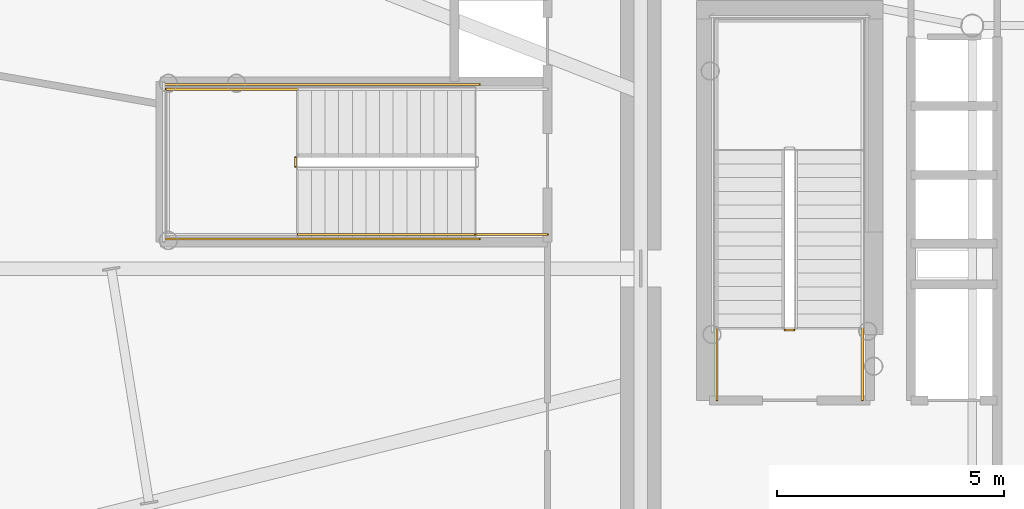
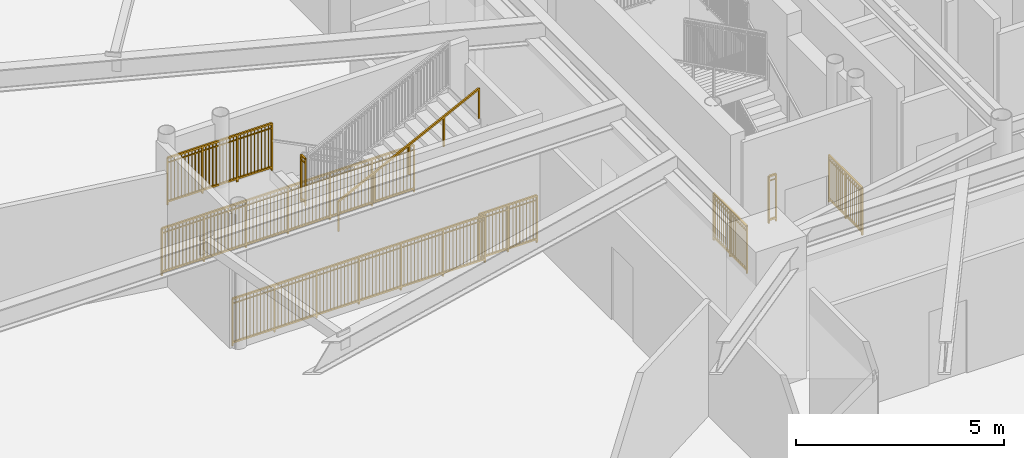
# One storey, part 25 of 35: 9 railings.
"""IFC4 building model written with IfcOpenShell, lengths in metres."""

from ifc_helpers import new_model, si_unit, direction, frame, origin, origin_2d, place, context, subcontext, project, spatial, rectangle, extrude, source, transform, mapped, material, type_object, element, save


model = new_model("IFC4")

# Units and contexts
model_context = context("Model", 3, precision=1e-05, world=origin(), true_north=direction((0.0, 1.0)))
body_context = subcontext(model_context, "Body", "Model", "MODEL_VIEW")
ifc_project = project(units=[si_unit("LENGTHUNIT", "METRE"), si_unit("AREAUNIT", "SQUARE_METRE"), si_unit("VOLUMEUNIT", "CUBIC_METRE"), si_unit("PLANEANGLEUNIT", "RADIAN"), si_unit("MASSUNIT", "GRAM", prefix="KILO")], contexts=[model_context])

# Site, building, storey
site_placement = place(None, origin())
site = spatial("IfcSite", under=ifc_project, at=site_placement, CompositionType="ELEMENT")
building_placement = place(site_placement, origin())
building = spatial("IfcBuilding", under=site, at=building_placement, Name="Linh Dai School and Residence Tower", CompositionType="ELEMENT")
storey_placement = place(building_placement, frame((0.0, 0.0, 32.39990234375)))
storey = spatial("IfcBuildingStorey", under=building, at=storey_placement, Name="L07", CompositionType="ELEMENT", Elevation=32.39990234375)

# Railings
ifc_material_1 = material(Name="Structural Steel S355JR", Category="steel")
railing_type_1 = type_object("IfcRailingType", Name="RL-ST-GUARD-1400", PredefinedType="GUARDRAIL", material=ifc_material_1)
shared_shape_1 = source(origin(), body_context, "Body", "SweptSolid", [
    extrude(rectangle(XDim=0.048095703125, YDim=0.048095703125, at=origin_2d()), frame((0.0, 0.0, 1.3759765625), z_axis=(-1.0, 0.0, 0.0), x_axis=(0.0, -1.0, 0.0)), (0.0, 0.0, 1.0), 0.199951171875),
    extrude(rectangle(XDim=0.048095703125, YDim=0.048095703125, at=origin_2d()), frame((0.0, 0.0, 0.10009765625), z_axis=(-1.0, 0.0, 0.0), x_axis=(0.0, -1.0, 0.0)), (0.0, 0.0, 1.0), 0.199951171875),
    extrude(rectangle(XDim=0.030029296875, YDim=0.030029296875, at=origin_2d()), frame((0.0, 0.0, 1.239990234375), z_axis=(-1.0, 0.0, 0.0), x_axis=(0.0, -1.0, 0.0)), (0.0, 0.0, 1.0), 0.199951171875),
    extrude(rectangle(XDim=0.0419921875, YDim=0.0419921875, at=origin_2d()), origin(), (0.0, 0.0, 1.0), 1.3759765625),
    extrude(rectangle(XDim=0.0419921875, YDim=0.0419921875, at=origin_2d()), frame((-0.199951171875, 0.0, 0.0)), (0.0, 0.0, 1.0), 1.3759765625),
])
railing_1_placement = place(storey_placement, frame((29.429931640625, 25.64990234375, 0.0)))
element("IfcRailing", 1, at=railing_1_placement, inside=storey, type_object=railing_type_1, Name="L07 ST1 stair guard 7", PredefinedType="GUARDRAIL", context=body_context, shape_type="MappedRepresentation", body=[
    mapped(shared_shape_1, transform((0.0, 0.0, 0.0), x_axis=(1.0, 0.0, 0.0), y_axis=(0.0, 1.0, 0.0), z_axis=(0.0, 0.0, 1.0), scale=1.0)),
])
shared_shape_2 = source(origin(), body_context, "Body", "SweptSolid", [
    extrude(rectangle(XDim=0.048095703125, YDim=0.048095703125, at=origin_2d()), frame((0.0, 0.0, 1.3759765625), z_axis=(0.0, 1.0, 0.0), x_axis=(-1.0, 0.0, 0.0)), (0.0, 0.0, 1.0), 1.599853515625),
    extrude(rectangle(XDim=0.048095703125, YDim=0.048095703125, at=origin_2d()), frame((0.0, 0.0, 0.10009765625), z_axis=(0.0, 1.0, 0.0), x_axis=(-1.0, 0.0, 0.0)), (0.0, 0.0, 1.0), 1.599853515625),
    extrude(rectangle(XDim=0.030029296875, YDim=0.030029296875, at=origin_2d()), frame((0.0, 0.0, 1.239990234375), z_axis=(0.0, 1.0, 0.0), x_axis=(-1.0, 0.0, 0.0)), (0.0, 0.0, 1.0), 1.599853515625),
    extrude(rectangle(XDim=0.02001953125, YDim=0.02001953125, at=origin_2d()), frame((0.0, 0.093994140625, 0.10009765625)), (0.0, 0.0, 1.0), 1.251708984375),
    extrude(rectangle(XDim=0.02001953125, YDim=0.02001953125, at=origin_2d()), frame((0.0, 0.188232421875, 0.10009765625)), (0.0, 0.0, 1.0), 1.251708984375),
    extrude(rectangle(XDim=0.02001953125, YDim=0.02001953125, at=origin_2d()), frame((0.0, 0.2822265625, 0.10009765625)), (0.0, 0.0, 1.0), 1.251708984375),
    extrude(rectangle(XDim=0.02001953125, YDim=0.02001953125, at=origin_2d()), frame((0.0, 0.37646484375, 0.10009765625)), (0.0, 0.0, 1.0), 1.251708984375),
    extrude(rectangle(XDim=0.02001953125, YDim=0.02001953125, at=origin_2d()), frame((0.0, 0.470458984375, 0.10009765625)), (0.0, 0.0, 1.0), 1.251708984375),
    extrude(rectangle(XDim=0.02001953125, YDim=0.02001953125, at=origin_2d()), frame((0.0, 0.564697265625, 0.10009765625)), (0.0, 0.0, 1.0), 1.251708984375),
    extrude(rectangle(XDim=0.02001953125, YDim=0.02001953125, at=origin_2d()), frame((0.0, 0.65869140625, 0.10009765625)), (0.0, 0.0, 1.0), 1.251708984375),
    extrude(rectangle(XDim=0.02001953125, YDim=0.02001953125, at=origin_2d()), frame((0.0, 0.7529296875, 0.10009765625)), (0.0, 0.0, 1.0), 1.251708984375),
    extrude(rectangle(XDim=0.02001953125, YDim=0.02001953125, at=origin_2d()), frame((0.0, 0.846923828125, 0.10009765625)), (0.0, 0.0, 1.0), 1.251708984375),
    extrude(rectangle(XDim=0.02001953125, YDim=0.02001953125, at=origin_2d()), frame((0.0, 0.941162109375, 0.10009765625)), (0.0, 0.0, 1.0), 1.251708984375),
    extrude(rectangle(XDim=0.02001953125, YDim=0.02001953125, at=origin_2d()), frame((0.0, 1.03515625, 0.10009765625)), (0.0, 0.0, 1.0), 1.251708984375),
    extrude(rectangle(XDim=0.02001953125, YDim=0.02001953125, at=origin_2d()), frame((0.0, 1.12939453125, 0.10009765625)), (0.0, 0.0, 1.0), 1.251708984375),
    extrude(rectangle(XDim=0.02001953125, YDim=0.02001953125, at=origin_2d()), frame((0.0, 1.223388671875, 0.10009765625)), (0.0, 0.0, 1.0), 1.251708984375),
    extrude(rectangle(XDim=0.02001953125, YDim=0.02001953125, at=origin_2d()), frame((0.0, 1.317626953125, 0.10009765625)), (0.0, 0.0, 1.0), 1.251708984375),
    extrude(rectangle(XDim=0.02001953125, YDim=0.02001953125, at=origin_2d()), frame((0.0, 1.41162109375, 0.10009765625)), (0.0, 0.0, 1.0), 1.251708984375),
    extrude(rectangle(XDim=0.02001953125, YDim=0.02001953125, at=origin_2d()), frame((0.0, 1.505859375, 0.10009765625)), (0.0, 0.0, 1.0), 1.251708984375),
    extrude(rectangle(XDim=0.0419921875, YDim=0.0419921875, at=origin_2d()), origin(), (0.0, 0.0, 1.0), 1.3759765625),
    extrude(rectangle(XDim=0.0419921875, YDim=0.0419921875, at=origin_2d()), frame((0.0, 0.7998046875, 0.0)), (0.0, 0.0, 1.0), 1.3759765625),
    extrude(rectangle(XDim=0.0419921875, YDim=0.0419921875, at=origin_2d()), frame((0.0, 1.599853515625, 0.0)), (0.0, 0.0, 1.0), 1.3759765625),
])
for number, where, name in (
    (2, (30.929931640625, 24.10009765625, 0.0), "L07 ST1 stair guard 8"),
    (3, (27.72998046875, 24.10009765625, 0.0), "L07 ST1 stair guard 9"),
):
    element("IfcRailing", number, at=place(storey_placement, frame(where)), inside=storey, type_object=railing_type_1, Name=name, PredefinedType="GUARDRAIL", context=body_context, shape_type="MappedRepresentation", body=[
        mapped(shared_shape_2, transform((0.0, 0.0, 0.0), x_axis=(1.0, 0.0, 0.0), y_axis=(0.0, 1.0, 0.0), z_axis=(0.0, 0.0, 1.0), scale=1.0)),
    ])
shared_shape_3 = source(origin(), body_context, "Body", "SweptSolid", [
    extrude(rectangle(XDim=0.048095703125, YDim=0.048095703125, at=origin_2d()), frame((0.0, 0.0, 1.3759765625), z_axis=(0.0, -1.0, 0.0), x_axis=(1.0, 0.0, 0.0)), (0.0, 0.0, 1.0), 0.199951171875),
    extrude(rectangle(XDim=0.048095703125, YDim=0.048095703125, at=origin_2d()), frame((0.0, 0.0, 0.10009765625), z_axis=(0.0, -1.0, 0.0), x_axis=(1.0, 0.0, 0.0)), (0.0, 0.0, 1.0), 0.199951171875),
    extrude(rectangle(XDim=0.030029296875, YDim=0.030029296875, at=origin_2d()), frame((0.0, 0.0, 1.239990234375), z_axis=(0.0, -1.0, 0.0), x_axis=(1.0, 0.0, 0.0)), (0.0, 0.0, 1.0), 0.199951171875),
    extrude(rectangle(XDim=0.0419921875, YDim=0.0419921875, at=origin_2d()), origin(), (0.0, 0.0, 1.0), 1.3759765625),
    extrude(rectangle(XDim=0.0419921875, YDim=0.0419921875, at=origin_2d()), frame((0.0, -0.199951171875, 0.0)), (0.0, 0.0, 1.0), 1.3759765625),
])
railing_2_placement = place(storey_placement, frame((18.449951171875, 29.449951171875, 2.10009765625)))
element("IfcRailing", 4, at=railing_2_placement, inside=storey, type_object=railing_type_1, Name="L07 STS1 stair guard 2", PredefinedType="GUARDRAIL", context=body_context, shape_type="MappedRepresentation", body=[
    mapped(shared_shape_3, transform((0.0, 0.0, 0.0), x_axis=(1.0, 0.0, 0.0), y_axis=(0.0, 1.0, 0.0), z_axis=(0.0, 0.0, 1.0), scale=1.0)),
])
shared_shape_4 = source(origin(), body_context, "Body", "SweptSolid", [
    extrude(rectangle(XDim=0.048095703125, YDim=0.048095703125, at=origin_2d()), frame((0.0, 0.0, 1.3759765625), z_axis=(-1.0, 0.0, 0.0), x_axis=(0.0, -1.0, 0.0)), (0.0, 0.0, 1.0), 1.60009765625),
    extrude(rectangle(XDim=0.048095703125, YDim=0.048095703125, at=origin_2d()), frame((0.0, 0.0, 0.10009765625), z_axis=(-1.0, 0.0, 0.0), x_axis=(0.0, -1.0, 0.0)), (0.0, 0.0, 1.0), 1.60009765625),
    extrude(rectangle(XDim=0.030029296875, YDim=0.030029296875, at=origin_2d()), frame((0.0, 0.0, 1.239990234375), z_axis=(-1.0, 0.0, 0.0), x_axis=(0.0, -1.0, 0.0)), (0.0, 0.0, 1.0), 1.60009765625),
    extrude(rectangle(XDim=0.02001953125, YDim=0.02001953125, at=origin_2d()), frame((-0.09423828125, 0.0, 0.10009765625)), (0.0, 0.0, 1.0), 1.251708984375),
    extrude(rectangle(XDim=0.02001953125, YDim=0.02001953125, at=origin_2d()), frame((-0.188232421875, 0.0, 0.10009765625)), (0.0, 0.0, 1.0), 1.251708984375),
    extrude(rectangle(XDim=0.02001953125, YDim=0.02001953125, at=origin_2d()), frame((-0.282470703125, 0.0, 0.10009765625)), (0.0, 0.0, 1.0), 1.251708984375),
    extrude(rectangle(XDim=0.02001953125, YDim=0.02001953125, at=origin_2d()), frame((-0.37646484375, 0.0, 0.10009765625)), (0.0, 0.0, 1.0), 1.251708984375),
    extrude(rectangle(XDim=0.02001953125, YDim=0.02001953125, at=origin_2d()), frame((-0.470703125, 0.0, 0.10009765625)), (0.0, 0.0, 1.0), 1.251708984375),
    extrude(rectangle(XDim=0.02001953125, YDim=0.02001953125, at=origin_2d()), frame((-0.564697265625, 0.0, 0.10009765625)), (0.0, 0.0, 1.0), 1.251708984375),
    extrude(rectangle(XDim=0.02001953125, YDim=0.02001953125, at=origin_2d()), frame((-0.658935546875, 0.0, 0.10009765625)), (0.0, 0.0, 1.0), 1.251708984375),
    extrude(rectangle(XDim=0.02001953125, YDim=0.02001953125, at=origin_2d()), frame((-0.7529296875, 0.0, 0.10009765625)), (0.0, 0.0, 1.0), 1.251708984375),
    extrude(rectangle(XDim=0.02001953125, YDim=0.02001953125, at=origin_2d()), frame((-0.84716796875, 0.0, 0.10009765625)), (0.0, 0.0, 1.0), 1.251708984375),
    extrude(rectangle(XDim=0.02001953125, YDim=0.02001953125, at=origin_2d()), frame((-0.941162109375, 0.0, 0.10009765625)), (0.0, 0.0, 1.0), 1.251708984375),
    extrude(rectangle(XDim=0.02001953125, YDim=0.02001953125, at=origin_2d()), frame((-1.035400390625, 0.0, 0.10009765625)), (0.0, 0.0, 1.0), 1.251708984375),
    extrude(rectangle(XDim=0.02001953125, YDim=0.02001953125, at=origin_2d()), frame((-1.12939453125, 0.0, 0.10009765625)), (0.0, 0.0, 1.0), 1.251708984375),
    extrude(rectangle(XDim=0.02001953125, YDim=0.02001953125, at=origin_2d()), frame((-1.2236328125, 0.0, 0.10009765625)), (0.0, 0.0, 1.0), 1.251708984375),
    extrude(rectangle(XDim=0.02001953125, YDim=0.02001953125, at=origin_2d()), frame((-1.317626953125, 0.0, 0.10009765625)), (0.0, 0.0, 1.0), 1.251708984375),
    extrude(rectangle(XDim=0.02001953125, YDim=0.02001953125, at=origin_2d()), frame((-1.411865234375, 0.0, 0.10009765625)), (0.0, 0.0, 1.0), 1.251708984375),
    extrude(rectangle(XDim=0.02001953125, YDim=0.02001953125, at=origin_2d()), frame((-1.505859375, 0.0, 0.10009765625)), (0.0, 0.0, 1.0), 1.251708984375),
    extrude(rectangle(XDim=0.0419921875, YDim=0.0419921875, at=origin_2d()), origin(), (0.0, 0.0, 1.0), 1.3759765625),
    extrude(rectangle(XDim=0.0419921875, YDim=0.0419921875, at=origin_2d()), frame((-0.800048828125, 0.0, 0.0)), (0.0, 0.0, 1.0), 1.3759765625),
    extrude(rectangle(XDim=0.0419921875, YDim=0.0419921875, at=origin_2d()), frame((-1.60009765625, 0.0, 0.0)), (0.0, 0.0, 1.0), 1.3759765625),
])
railing_3_placement = place(storey_placement, frame((24.0, 27.75, 0.0)))
element("IfcRailing", 5, at=railing_3_placement, inside=storey, type_object=railing_type_1, Name="L07 STS1 stair guard 9", PredefinedType="GUARDRAIL", context=body_context, shape_type="MappedRepresentation", body=[
    mapped(shared_shape_4, transform((0.0, 0.0, 0.0), x_axis=(1.0, 0.0, 0.0), y_axis=(0.0, 1.0, 0.0), z_axis=(0.0, 0.0, 1.0), scale=1.0)),
])
shared_shape_5 = source(origin(), body_context, "Body", "SweptSolid", [
    extrude(rectangle(XDim=0.048095703125, YDim=0.048095703125, at=origin_2d()), frame((0.0, 0.0, 1.3759765625), z_axis=(-1.0, 0.0, 0.0), x_axis=(0.0, -1.0, 0.0)), (0.0, 0.0, 1.0), 2.89990234375),
    extrude(rectangle(XDim=0.048095703125, YDim=0.048095703125, at=origin_2d()), frame((0.0, 0.0, 0.10009765625), z_axis=(-1.0, 0.0, 0.0), x_axis=(0.0, -1.0, 0.0)), (0.0, 0.0, 1.0), 2.89990234375),
    extrude(rectangle(XDim=0.030029296875, YDim=0.030029296875, at=origin_2d()), frame((0.0, 0.0, 1.239990234375), z_axis=(-1.0, 0.0, 0.0), x_axis=(0.0, -1.0, 0.0)), (0.0, 0.0, 1.0), 2.89990234375),
    extrude(rectangle(XDim=0.02001953125, YDim=0.02001953125, at=origin_2d()), frame((-0.0966796875, 0.0, 0.10009765625)), (0.0, 0.0, 1.0), 1.251708984375),
    extrude(rectangle(XDim=0.02001953125, YDim=0.02001953125, at=origin_2d()), frame((-0.193359375, 0.0, 0.10009765625)), (0.0, 0.0, 1.0), 1.251708984375),
    extrude(rectangle(XDim=0.02001953125, YDim=0.02001953125, at=origin_2d()), frame((-0.2900390625, 0.0, 0.10009765625)), (0.0, 0.0, 1.0), 1.251708984375),
    extrude(rectangle(XDim=0.02001953125, YDim=0.02001953125, at=origin_2d()), frame((-0.38671875, 0.0, 0.10009765625)), (0.0, 0.0, 1.0), 1.251708984375),
    extrude(rectangle(XDim=0.02001953125, YDim=0.02001953125, at=origin_2d()), frame((-0.4833984375, 0.0, 0.10009765625)), (0.0, 0.0, 1.0), 1.251708984375),
    extrude(rectangle(XDim=0.02001953125, YDim=0.02001953125, at=origin_2d()), frame((-0.580078125, 0.0, 0.10009765625)), (0.0, 0.0, 1.0), 1.251708984375),
    extrude(rectangle(XDim=0.02001953125, YDim=0.02001953125, at=origin_2d()), frame((-0.6767578125, 0.0, 0.10009765625)), (0.0, 0.0, 1.0), 1.251708984375),
    extrude(rectangle(XDim=0.02001953125, YDim=0.02001953125, at=origin_2d()), frame((-0.773193359375, 0.0, 0.10009765625)), (0.0, 0.0, 1.0), 1.251708984375),
    extrude(rectangle(XDim=0.02001953125, YDim=0.02001953125, at=origin_2d()), frame((-0.869873046875, 0.0, 0.10009765625)), (0.0, 0.0, 1.0), 1.251708984375),
    extrude(rectangle(XDim=0.02001953125, YDim=0.02001953125, at=origin_2d()), frame((-1.063232421875, 0.0, 0.10009765625)), (0.0, 0.0, 1.0), 1.251708984375),
    extrude(rectangle(XDim=0.02001953125, YDim=0.02001953125, at=origin_2d()), frame((-1.159912109375, 0.0, 0.10009765625)), (0.0, 0.0, 1.0), 1.251708984375),
    extrude(rectangle(XDim=0.02001953125, YDim=0.02001953125, at=origin_2d()), frame((-1.256591796875, 0.0, 0.10009765625)), (0.0, 0.0, 1.0), 1.251708984375),
    extrude(rectangle(XDim=0.02001953125, YDim=0.02001953125, at=origin_2d()), frame((-1.353271484375, 0.0, 0.10009765625)), (0.0, 0.0, 1.0), 1.251708984375),
    extrude(rectangle(XDim=0.02001953125, YDim=0.02001953125, at=origin_2d()), frame((-1.449951171875, 0.0, 0.10009765625)), (0.0, 0.0, 1.0), 1.251708984375),
    extrude(rectangle(XDim=0.02001953125, YDim=0.02001953125, at=origin_2d()), frame((-1.546630859375, 0.0, 0.10009765625)), (0.0, 0.0, 1.0), 1.251708984375),
    extrude(rectangle(XDim=0.02001953125, YDim=0.02001953125, at=origin_2d()), frame((-1.643310546875, 0.0, 0.10009765625)), (0.0, 0.0, 1.0), 1.251708984375),
    extrude(rectangle(XDim=0.02001953125, YDim=0.02001953125, at=origin_2d()), frame((-1.739990234375, 0.0, 0.10009765625)), (0.0, 0.0, 1.0), 1.251708984375),
    extrude(rectangle(XDim=0.02001953125, YDim=0.02001953125, at=origin_2d()), frame((-1.836669921875, 0.0, 0.10009765625)), (0.0, 0.0, 1.0), 1.251708984375),
    extrude(rectangle(XDim=0.02001953125, YDim=0.02001953125, at=origin_2d()), frame((-2.030029296875, 0.0, 0.10009765625)), (0.0, 0.0, 1.0), 1.251708984375),
    extrude(rectangle(XDim=0.02001953125, YDim=0.02001953125, at=origin_2d()), frame((-2.126708984375, 0.0, 0.10009765625)), (0.0, 0.0, 1.0), 1.251708984375),
    extrude(rectangle(XDim=0.02001953125, YDim=0.02001953125, at=origin_2d()), frame((-2.22314453125, 0.0, 0.10009765625)), (0.0, 0.0, 1.0), 1.251708984375),
    extrude(rectangle(XDim=0.02001953125, YDim=0.02001953125, at=origin_2d()), frame((-2.31982421875, 0.0, 0.10009765625)), (0.0, 0.0, 1.0), 1.251708984375),
    extrude(rectangle(XDim=0.02001953125, YDim=0.02001953125, at=origin_2d()), frame((-2.41650390625, 0.0, 0.10009765625)), (0.0, 0.0, 1.0), 1.251708984375),
    extrude(rectangle(XDim=0.02001953125, YDim=0.02001953125, at=origin_2d()), frame((-2.51318359375, 0.0, 0.10009765625)), (0.0, 0.0, 1.0), 1.251708984375),
    extrude(rectangle(XDim=0.02001953125, YDim=0.02001953125, at=origin_2d()), frame((-2.60986328125, 0.0, 0.10009765625)), (0.0, 0.0, 1.0), 1.251708984375),
    extrude(rectangle(XDim=0.02001953125, YDim=0.02001953125, at=origin_2d()), frame((-2.70654296875, 0.0, 0.10009765625)), (0.0, 0.0, 1.0), 1.251708984375),
    extrude(rectangle(XDim=0.02001953125, YDim=0.02001953125, at=origin_2d()), frame((-2.80322265625, 0.0, 0.10009765625)), (0.0, 0.0, 1.0), 1.251708984375),
    extrude(rectangle(XDim=0.0419921875, YDim=0.0419921875, at=origin_2d()), origin(), (0.0, 0.0, 1.0), 1.3759765625),
    extrude(rectangle(XDim=0.0419921875, YDim=0.0419921875, at=origin_2d()), frame((-0.966552734375, 0.0, 0.0)), (0.0, 0.0, 1.0), 1.3759765625),
    extrude(rectangle(XDim=0.0419921875, YDim=0.0419921875, at=origin_2d()), frame((-1.933349609375, 0.0, 0.0)), (0.0, 0.0, 1.0), 1.3759765625),
    extrude(rectangle(XDim=0.0419921875, YDim=0.0419921875, at=origin_2d()), frame((-2.89990234375, 0.0, 0.0)), (0.0, 0.0, 1.0), 1.3759765625),
])
railing_4_placement = place(storey_placement, frame((18.5, 30.949951171875, 2.10009765625)))
element("IfcRailing", 6, at=railing_4_placement, inside=storey, type_object=railing_type_1, Name="L07 STS1 stair guard 3", PredefinedType="GUARDRAIL", context=body_context, shape_type="MappedRepresentation", body=[
    mapped(shared_shape_5, transform((0.0, 0.0, 0.0), x_axis=(1.0, 0.0, 0.0), y_axis=(0.0, 1.0, 0.0), z_axis=(0.0, 0.0, 1.0), scale=1.0)),
])
shared_shape_6 = source(origin(), body_context, "Body", "SweptSolid", [
    extrude(rectangle(XDim=0.048095703125, YDim=0.048095703125, at=origin_2d()), frame((0.0, 0.0, 1.3759765625), z_axis=(-1.0, 0.0, 0.0), x_axis=(0.0, -1.0, 0.0)), (0.0, 0.0, 1.0), 7.0),
    extrude(rectangle(XDim=0.048095703125, YDim=0.048095703125, at=origin_2d()), frame((0.0, 0.0, 0.10009765625), z_axis=(-1.0, 0.0, 0.0), x_axis=(0.0, -1.0, 0.0)), (0.0, 0.0, 1.0), 7.0),
    extrude(rectangle(XDim=0.030029296875, YDim=0.030029296875, at=origin_2d()), frame((0.0, 0.0, 1.239990234375), z_axis=(-1.0, 0.0, 0.0), x_axis=(0.0, -1.0, 0.0)), (0.0, 0.0, 1.0), 7.0),
    extrude(rectangle(XDim=0.02001953125, YDim=0.02001953125, at=origin_2d()), frame((-0.09716796875, 0.0, 0.10009765625)), (0.0, 0.0, 1.0), 1.251708984375),
    extrude(rectangle(XDim=0.02001953125, YDim=0.02001953125, at=origin_2d()), frame((-0.1943359375, 0.0, 0.10009765625)), (0.0, 0.0, 1.0), 1.251708984375),
    extrude(rectangle(XDim=0.02001953125, YDim=0.02001953125, at=origin_2d()), frame((-0.291748046875, 0.0, 0.10009765625)), (0.0, 0.0, 1.0), 1.251708984375),
    extrude(rectangle(XDim=0.02001953125, YDim=0.02001953125, at=origin_2d()), frame((-0.388916015625, 0.0, 0.10009765625)), (0.0, 0.0, 1.0), 1.251708984375),
    extrude(rectangle(XDim=0.02001953125, YDim=0.02001953125, at=origin_2d()), frame((-0.486083984375, 0.0, 0.10009765625)), (0.0, 0.0, 1.0), 1.251708984375),
    extrude(rectangle(XDim=0.02001953125, YDim=0.02001953125, at=origin_2d()), frame((-0.583251953125, 0.0, 0.10009765625)), (0.0, 0.0, 1.0), 1.251708984375),
    extrude(rectangle(XDim=0.02001953125, YDim=0.02001953125, at=origin_2d()), frame((-0.6806640625, 0.0, 0.10009765625)), (0.0, 0.0, 1.0), 1.251708984375),
    extrude(rectangle(XDim=0.02001953125, YDim=0.02001953125, at=origin_2d()), frame((-0.77783203125, 0.0, 0.10009765625)), (0.0, 0.0, 1.0), 1.251708984375),
    extrude(rectangle(XDim=0.02001953125, YDim=0.02001953125, at=origin_2d()), frame((-0.875, 0.0, 0.10009765625)), (0.0, 0.0, 1.0), 1.251708984375),
    extrude(rectangle(XDim=0.02001953125, YDim=0.02001953125, at=origin_2d()), frame((-0.97216796875, 0.0, 0.10009765625)), (0.0, 0.0, 1.0), 1.251708984375),
    extrude(rectangle(XDim=0.02001953125, YDim=0.02001953125, at=origin_2d()), frame((-1.0693359375, 0.0, 0.10009765625)), (0.0, 0.0, 1.0), 1.251708984375),
    extrude(rectangle(XDim=0.02001953125, YDim=0.02001953125, at=origin_2d()), frame((-1.263916015625, 0.0, 0.10009765625)), (0.0, 0.0, 1.0), 1.251708984375),
    extrude(rectangle(XDim=0.02001953125, YDim=0.02001953125, at=origin_2d()), frame((-1.361083984375, 0.0, 0.10009765625)), (0.0, 0.0, 1.0), 1.251708984375),
    extrude(rectangle(XDim=0.02001953125, YDim=0.02001953125, at=origin_2d()), frame((-1.458251953125, 0.0, 0.10009765625)), (0.0, 0.0, 1.0), 1.251708984375),
    extrude(rectangle(XDim=0.02001953125, YDim=0.02001953125, at=origin_2d()), frame((-1.5556640625, 0.0, 0.10009765625)), (0.0, 0.0, 1.0), 1.251708984375),
    extrude(rectangle(XDim=0.02001953125, YDim=0.02001953125, at=origin_2d()), frame((-1.65283203125, 0.0, 0.10009765625)), (0.0, 0.0, 1.0), 1.251708984375),
    extrude(rectangle(XDim=0.02001953125, YDim=0.02001953125, at=origin_2d()), frame((-1.75, 0.0, 0.10009765625)), (0.0, 0.0, 1.0), 1.251708984375),
    extrude(rectangle(XDim=0.02001953125, YDim=0.02001953125, at=origin_2d()), frame((-1.84716796875, 0.0, 0.10009765625)), (0.0, 0.0, 1.0), 1.251708984375),
    extrude(rectangle(XDim=0.02001953125, YDim=0.02001953125, at=origin_2d()), frame((-1.9443359375, 0.0, 0.10009765625)), (0.0, 0.0, 1.0), 1.251708984375),
    extrude(rectangle(XDim=0.02001953125, YDim=0.02001953125, at=origin_2d()), frame((-2.041748046875, 0.0, 0.10009765625)), (0.0, 0.0, 1.0), 1.251708984375),
    extrude(rectangle(XDim=0.02001953125, YDim=0.02001953125, at=origin_2d()), frame((-2.138916015625, 0.0, 0.10009765625)), (0.0, 0.0, 1.0), 1.251708984375),
    extrude(rectangle(XDim=0.02001953125, YDim=0.02001953125, at=origin_2d()), frame((-2.236083984375, 0.0, 0.10009765625)), (0.0, 0.0, 1.0), 1.251708984375),
    extrude(rectangle(XDim=0.02001953125, YDim=0.02001953125, at=origin_2d()), frame((-2.4306640625, 0.0, 0.10009765625)), (0.0, 0.0, 1.0), 1.251708984375),
    extrude(rectangle(XDim=0.02001953125, YDim=0.02001953125, at=origin_2d()), frame((-2.52783203125, 0.0, 0.10009765625)), (0.0, 0.0, 1.0), 1.251708984375),
    extrude(rectangle(XDim=0.02001953125, YDim=0.02001953125, at=origin_2d()), frame((-2.625, 0.0, 0.10009765625)), (0.0, 0.0, 1.0), 1.251708984375),
    extrude(rectangle(XDim=0.02001953125, YDim=0.02001953125, at=origin_2d()), frame((-2.72216796875, 0.0, 0.10009765625)), (0.0, 0.0, 1.0), 1.251708984375),
    extrude(rectangle(XDim=0.02001953125, YDim=0.02001953125, at=origin_2d()), frame((-2.8193359375, 0.0, 0.10009765625)), (0.0, 0.0, 1.0), 1.251708984375),
    extrude(rectangle(XDim=0.02001953125, YDim=0.02001953125, at=origin_2d()), frame((-2.916748046875, 0.0, 0.10009765625)), (0.0, 0.0, 1.0), 1.251708984375),
    extrude(rectangle(XDim=0.02001953125, YDim=0.02001953125, at=origin_2d()), frame((-3.013916015625, 0.0, 0.10009765625)), (0.0, 0.0, 1.0), 1.251708984375),
    extrude(rectangle(XDim=0.02001953125, YDim=0.02001953125, at=origin_2d()), frame((-3.111083984375, 0.0, 0.10009765625)), (0.0, 0.0, 1.0), 1.251708984375),
    extrude(rectangle(XDim=0.02001953125, YDim=0.02001953125, at=origin_2d()), frame((-3.208251953125, 0.0, 0.10009765625)), (0.0, 0.0, 1.0), 1.251708984375),
    extrude(rectangle(XDim=0.02001953125, YDim=0.02001953125, at=origin_2d()), frame((-3.3056640625, 0.0, 0.10009765625)), (0.0, 0.0, 1.0), 1.251708984375),
    extrude(rectangle(XDim=0.02001953125, YDim=0.02001953125, at=origin_2d()), frame((-3.40283203125, 0.0, 0.10009765625)), (0.0, 0.0, 1.0), 1.251708984375),
    extrude(rectangle(XDim=0.02001953125, YDim=0.02001953125, at=origin_2d()), frame((-3.59716796875, 0.0, 0.10009765625)), (0.0, 0.0, 1.0), 1.251708984375),
    extrude(rectangle(XDim=0.02001953125, YDim=0.02001953125, at=origin_2d()), frame((-3.6943359375, 0.0, 0.10009765625)), (0.0, 0.0, 1.0), 1.251708984375),
    extrude(rectangle(XDim=0.02001953125, YDim=0.02001953125, at=origin_2d()), frame((-3.791748046875, 0.0, 0.10009765625)), (0.0, 0.0, 1.0), 1.251708984375),
    extrude(rectangle(XDim=0.02001953125, YDim=0.02001953125, at=origin_2d()), frame((-3.888916015625, 0.0, 0.10009765625)), (0.0, 0.0, 1.0), 1.251708984375),
    extrude(rectangle(XDim=0.02001953125, YDim=0.02001953125, at=origin_2d()), frame((-3.986083984375, 0.0, 0.10009765625)), (0.0, 0.0, 1.0), 1.251708984375),
    extrude(rectangle(XDim=0.02001953125, YDim=0.02001953125, at=origin_2d()), frame((-4.083251953125, 0.0, 0.10009765625)), (0.0, 0.0, 1.0), 1.251708984375),
    extrude(rectangle(XDim=0.02001953125, YDim=0.02001953125, at=origin_2d()), frame((-4.1806640625, 0.0, 0.10009765625)), (0.0, 0.0, 1.0), 1.251708984375),
    extrude(rectangle(XDim=0.02001953125, YDim=0.02001953125, at=origin_2d()), frame((-4.27783203125, 0.0, 0.10009765625)), (0.0, 0.0, 1.0), 1.251708984375),
    extrude(rectangle(XDim=0.02001953125, YDim=0.02001953125, at=origin_2d()), frame((-4.375, 0.0, 0.10009765625)), (0.0, 0.0, 1.0), 1.251708984375),
    extrude(rectangle(XDim=0.02001953125, YDim=0.02001953125, at=origin_2d()), frame((-4.47216796875, 0.0, 0.10009765625)), (0.0, 0.0, 1.0), 1.251708984375),
    extrude(rectangle(XDim=0.02001953125, YDim=0.02001953125, at=origin_2d()), frame((-4.5693359375, 0.0, 0.10009765625)), (0.0, 0.0, 1.0), 1.251708984375),
    extrude(rectangle(XDim=0.02001953125, YDim=0.02001953125, at=origin_2d()), frame((-4.763916015625, 0.0, 0.10009765625)), (0.0, 0.0, 1.0), 1.251708984375),
    extrude(rectangle(XDim=0.02001953125, YDim=0.02001953125, at=origin_2d()), frame((-4.861083984375, 0.0, 0.10009765625)), (0.0, 0.0, 1.0), 1.251708984375),
    extrude(rectangle(XDim=0.02001953125, YDim=0.02001953125, at=origin_2d()), frame((-4.958251953125, 0.0, 0.10009765625)), (0.0, 0.0, 1.0), 1.251708984375),
    extrude(rectangle(XDim=0.02001953125, YDim=0.02001953125, at=origin_2d()), frame((-5.0556640625, 0.0, 0.10009765625)), (0.0, 0.0, 1.0), 1.251708984375),
    extrude(rectangle(XDim=0.02001953125, YDim=0.02001953125, at=origin_2d()), frame((-5.15283203125, 0.0, 0.10009765625)), (0.0, 0.0, 1.0), 1.251708984375),
    extrude(rectangle(XDim=0.02001953125, YDim=0.02001953125, at=origin_2d()), frame((-5.25, 0.0, 0.10009765625)), (0.0, 0.0, 1.0), 1.251708984375),
    extrude(rectangle(XDim=0.02001953125, YDim=0.02001953125, at=origin_2d()), frame((-5.34716796875, 0.0, 0.10009765625)), (0.0, 0.0, 1.0), 1.251708984375),
    extrude(rectangle(XDim=0.02001953125, YDim=0.02001953125, at=origin_2d()), frame((-5.4443359375, 0.0, 0.10009765625)), (0.0, 0.0, 1.0), 1.251708984375),
    extrude(rectangle(XDim=0.02001953125, YDim=0.02001953125, at=origin_2d()), frame((-5.541748046875, 0.0, 0.10009765625)), (0.0, 0.0, 1.0), 1.251708984375),
    extrude(rectangle(XDim=0.02001953125, YDim=0.02001953125, at=origin_2d()), frame((-5.638916015625, 0.0, 0.10009765625)), (0.0, 0.0, 1.0), 1.251708984375),
    extrude(rectangle(XDim=0.02001953125, YDim=0.02001953125, at=origin_2d()), frame((-5.736083984375, 0.0, 0.10009765625)), (0.0, 0.0, 1.0), 1.251708984375),
    extrude(rectangle(XDim=0.02001953125, YDim=0.02001953125, at=origin_2d()), frame((-5.9306640625, 0.0, 0.10009765625)), (0.0, 0.0, 1.0), 1.251708984375),
    extrude(rectangle(XDim=0.02001953125, YDim=0.02001953125, at=origin_2d()), frame((-6.02783203125, 0.0, 0.10009765625)), (0.0, 0.0, 1.0), 1.251708984375),
    extrude(rectangle(XDim=0.02001953125, YDim=0.02001953125, at=origin_2d()), frame((-6.125, 0.0, 0.10009765625)), (0.0, 0.0, 1.0), 1.251708984375),
    extrude(rectangle(XDim=0.02001953125, YDim=0.02001953125, at=origin_2d()), frame((-6.22216796875, 0.0, 0.10009765625)), (0.0, 0.0, 1.0), 1.251708984375),
    extrude(rectangle(XDim=0.02001953125, YDim=0.02001953125, at=origin_2d()), frame((-6.3193359375, 0.0, 0.10009765625)), (0.0, 0.0, 1.0), 1.251708984375),
    extrude(rectangle(XDim=0.02001953125, YDim=0.02001953125, at=origin_2d()), frame((-6.416748046875, 0.0, 0.10009765625)), (0.0, 0.0, 1.0), 1.251708984375),
    extrude(rectangle(XDim=0.02001953125, YDim=0.02001953125, at=origin_2d()), frame((-6.513916015625, 0.0, 0.10009765625)), (0.0, 0.0, 1.0), 1.251708984375),
    extrude(rectangle(XDim=0.02001953125, YDim=0.02001953125, at=origin_2d()), frame((-6.611083984375, 0.0, 0.10009765625)), (0.0, 0.0, 1.0), 1.251708984375),
    extrude(rectangle(XDim=0.02001953125, YDim=0.02001953125, at=origin_2d()), frame((-6.708251953125, 0.0, 0.10009765625)), (0.0, 0.0, 1.0), 1.251708984375),
    extrude(rectangle(XDim=0.02001953125, YDim=0.02001953125, at=origin_2d()), frame((-6.8056640625, 0.0, 0.10009765625)), (0.0, 0.0, 1.0), 1.251708984375),
    extrude(rectangle(XDim=0.02001953125, YDim=0.02001953125, at=origin_2d()), frame((-6.90283203125, 0.0, 0.10009765625)), (0.0, 0.0, 1.0), 1.251708984375),
    extrude(rectangle(XDim=0.0419921875, YDim=0.0419921875, at=origin_2d()), origin(), (0.0, 0.0, 1.0), 1.3759765625),
    extrude(rectangle(XDim=0.0419921875, YDim=0.0419921875, at=origin_2d()), frame((-1.166748046875, 0.0, 0.0)), (0.0, 0.0, 1.0), 1.3759765625),
    extrude(rectangle(XDim=0.0419921875, YDim=0.0419921875, at=origin_2d()), frame((-2.333251953125, 0.0, 0.0)), (0.0, 0.0, 1.0), 1.3759765625),
    extrude(rectangle(XDim=0.0419921875, YDim=0.0419921875, at=origin_2d()), frame((-3.5, 0.0, 0.0)), (0.0, 0.0, 1.0), 1.3759765625),
    extrude(rectangle(XDim=0.0419921875, YDim=0.0419921875, at=origin_2d()), frame((-4.666748046875, 0.0, 0.0)), (0.0, 0.0, 1.0), 1.3759765625),
    extrude(rectangle(XDim=0.0419921875, YDim=0.0419921875, at=origin_2d()), frame((-5.833251953125, 0.0, 0.0)), (0.0, 0.0, 1.0), 1.3759765625),
    extrude(rectangle(XDim=0.0419921875, YDim=0.0419921875, at=origin_2d()), frame((-7.0, 0.0, 0.0)), (0.0, 0.0, 1.0), 1.3759765625),
])
for number, where, name in (
    (7, (22.5, 31.050048828125, 0.0), "L07 STS1 stair guard 10"),
    (8, (22.5, 27.64990234375, 0.0), "L07 STS1 stair guard 11"),
):
    element("IfcRailing", number, at=place(storey_placement, frame(where)), inside=storey, type_object=railing_type_1, Name=name, PredefinedType="GUARDRAIL", context=body_context, shape_type="MappedRepresentation", body=[
        mapped(shared_shape_6, transform((0.0, 0.0, 0.0), x_axis=(1.0, 0.0, 0.0), y_axis=(0.0, 1.0, 0.0), z_axis=(0.0, 0.0, 1.0), scale=1.0)),
    ])
ifc_material_2 = material(Name="Brushed Stainless Steel Handrail", Category="steel")
railing_type_2 = type_object("IfcRailingType", Name="RL-ST-HANDRAIL-900", PredefinedType="HANDRAIL", material=ifc_material_2)
shared_shape_7 = source(origin(), body_context, "Body", "SweptSolid", [
    extrude(rectangle(XDim=0.048095703125, YDim=0.048095703125, at=origin_2d()), frame((0.0, 0.0, 0.8759765625), z_axis=(0.894404793364, 0.0, 0.447258387967), x_axis=(0.0, 1.0, 0.0)), (0.0, 0.0, 1.0), 4.3603515625),
    extrude(rectangle(XDim=0.0419921875, YDim=0.0419921875, at=origin_2d()), origin(), (0.0, 0.0, 1.0), 0.8759765625),
    extrude(rectangle(XDim=0.0419921875, YDim=0.0419921875, at=origin_2d()), frame((0.97509765625, 0.0, 0.487548828125)), (0.0, 0.0, 1.0), 0.8759765625),
    extrude(rectangle(XDim=0.0419921875, YDim=0.0419921875, at=origin_2d()), frame((1.949951171875, 0.0, 0.97509765625)), (0.0, 0.0, 1.0), 0.8759765625),
    extrude(rectangle(XDim=0.0419921875, YDim=0.0419921875, at=origin_2d()), frame((2.9248046875, 0.0, 1.462646484375)), (0.0, 0.0, 1.0), 0.8759765625),
    extrude(rectangle(XDim=0.0419921875, YDim=0.0419921875, at=origin_2d()), frame((3.89990234375, 0.0, 1.9501953125)), (0.0, 0.0, 1.0), 0.8759765625),
])
railing_5_placement = place(storey_placement, frame((18.5, 27.75, 2.25)))
element("IfcRailing", 9, at=railing_5_placement, inside=storey, type_object=railing_type_2, Name="L07 STS1 stair handrail 2", PredefinedType="HANDRAIL", context=body_context, shape_type="MappedRepresentation", body=[
    mapped(shared_shape_7, transform((0.0, 0.0, 0.0), x_axis=(1.0, 0.0, 0.0), y_axis=(0.0, 1.0, 0.0), z_axis=(0.0, 0.0, 1.0), scale=1.0)),
])

save(model, "model.ifc")
